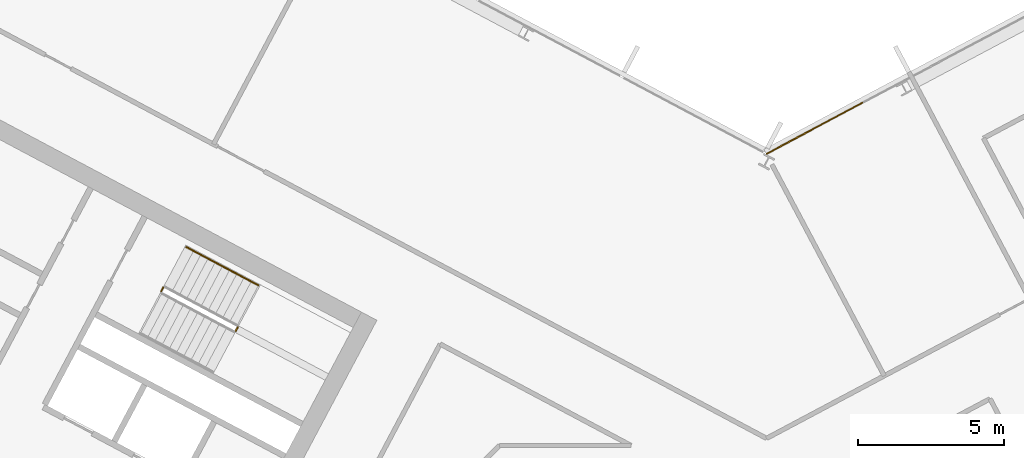
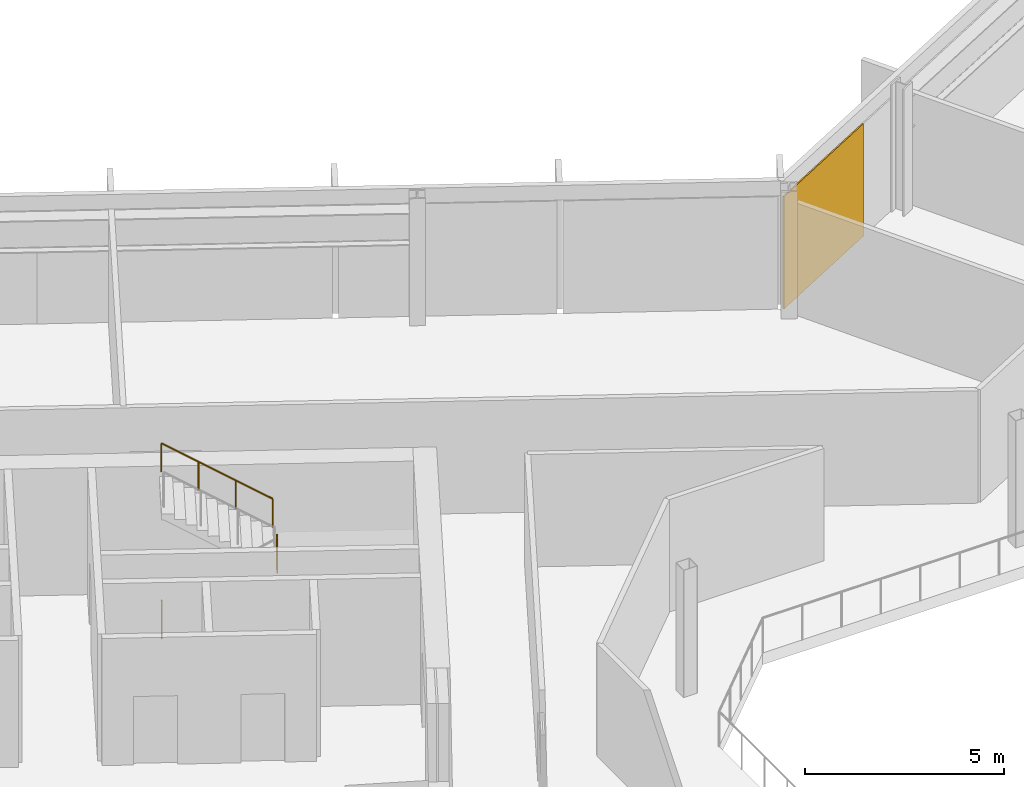
# One storey, part 22 of 26: 3 railings, 1 covering, 1 element without a shape of its own.
"""IFC4 building model written with IfcOpenShell, lengths in metres."""

from ifc_helpers import new_model, si_unit, direction, frame, origin, origin_2d, place, context, subcontext, project, spatial, polyline, rectangle, outline, extrude, material, layer, layer_set, type_object, element, aggregate, save


model = new_model("IFC4")

# Units and contexts
model_context = context("Model", 3, precision=1e-05, world=origin(), true_north=direction((0.0, 1.0)))
body_context = subcontext(model_context, "Body", "Model", "MODEL_VIEW")
ifc_project = project(units=[si_unit("LENGTHUNIT", "METRE"), si_unit("AREAUNIT", "SQUARE_METRE"), si_unit("VOLUMEUNIT", "CUBIC_METRE"), si_unit("PLANEANGLEUNIT", "RADIAN"), si_unit("MASSUNIT", "GRAM", prefix="KILO")], contexts=[model_context])

# Site, building, storey
site_placement = place(None, origin())
site = spatial("IfcSite", under=ifc_project, at=site_placement, CompositionType="ELEMENT")
building_placement = place(site_placement, origin())
building = spatial("IfcBuilding", under=site, at=building_placement, Name="Cormorant Relay Tower", CompositionType="ELEMENT")
storey_placement = place(building_placement, frame((0.0, 0.0, 248.10009765625)))
storey = spatial("IfcBuildingStorey", under=building, at=storey_placement, Name="L55", CompositionType="ELEMENT", Elevation=248.10009765625)

# Curtain wall, covering
ifc_material_1 = material(Name="Aluminium 6063-T6 anodised bronze", Category="aluminium")
ifc_layer_1 = layer(ifc_material_1, 0.199951171875)
ifc_layer_set_1 = layer_set([ifc_layer_1], Name="CW1 unitised bronze curtain wall with vertical fins")
curtain_wall_type = type_object("IfcCurtainWallType", Name="CW1 unitised bronze curtain wall with vertical fins", PredefinedType="NOTDEFINED", material=ifc_layer_set_1)
curtain_wall_placement = place(storey_placement, origin())
curtain_wall = element("IfcCurtainWall", 1, at=curtain_wall_placement, inside=storey, type_object=curtain_wall_type, Name="CW1 curtain wall 8", PredefinedType="NOTDEFINED")
ifc_material_2 = material(Name="Pale bronze anodised aluminium insulated panel", Category="aluminium")
ifc_layer_2 = layer(ifc_material_2, 0.0400390625)
ifc_layer_set_2 = layer_set([ifc_layer_2], Name="CW1 pale bronze insulated panel 40")
covering_type = type_object("IfcCoveringType", Name="CW1 pale bronze insulated panel 40", PredefinedType="CLADDING", material=ifc_layer_set_2)
covering_placement = place(storey_placement, frame((1.65234375, 24.685302734375, 0.0), z_axis=(0.0, 0.0, 1.0), x_axis=(-0.882947592859, -0.469471562786, 0.0)))
covering = element("IfcCovering", 2, at=covering_placement, type_object=covering_type, Name="CW1 panel S08", PredefinedType="CLADDING", context=body_context, shape_type="SweptSolid", body=[
    extrude(rectangle(XDim=3.763916015625, YDim=0.0400390625, at=origin_2d()), origin(), (0.0, 0.0, 1.0), 3.449951171875),
])
aggregate(curtain_wall, [covering])

# Railings
ifc_material_3 = material(Name="Steel ASTM A572 Grade 50 (Fy 345 MPa)", Category="steel")
railing_type_1 = type_object("IfcRailingType", Name="Stair guard 1100", PredefinedType="GUARDRAIL", material=ifc_material_3)
railing_1_placement = place(storey_placement, frame((-18.210693359375, 17.72412109375, 1.949951171875)))
element("IfcRailing", 3, at=railing_1_placement, inside=storey, type_object=railing_type_1, Name="L55 A1 stair guard 2", PredefinedType="GUARDRAIL", context=body_context, shape_type="SweptSolid", body=[
    extrude(outline(polyline([(0.022216796875, 0.00927734375), (0.00927734375, 0.022216796875), (-0.00927734375, 0.022216796875), (-0.022216796875, 0.00927734375), (-0.022216796875, -0.00927734375), (-0.00927734375, -0.022216796875), (0.00927734375, -0.022216796875), (0.022216796875, -0.00927734375), (0.022216796875, 0.00927734375)])), frame((0.0, 0.0, 1.076171875), z_axis=(0.470503732759, 0.882398003998, 0.0), x_axis=(-0.882398003998, 0.470503732759, 0.0)), (0.0, 0.0, 1.0), 0.14990234375),
    extrude(outline(polyline([(0.019287109375, 0.008056640625), (0.008056640625, 0.019287109375), (-0.008056640625, 0.019287109375), (-0.019287109375, 0.008056640625), (-0.019287109375, -0.008056640625), (-0.008056640625, -0.019287109375), (0.008056640625, -0.019287109375), (0.019287109375, -0.008056640625), (0.019287109375, 0.008056640625)])), origin(), (0.0, 0.0, 1.0), 1.052001953125),
    extrude(outline(polyline([(0.019287109375, 0.008056640625), (0.008056640625, 0.019287109375), (-0.008056640625, 0.019287109375), (-0.019287109375, 0.008056640625), (-0.019287109375, -0.008056640625), (-0.008056640625, -0.019287109375), (0.008056640625, -0.019287109375), (0.019287109375, -0.008056640625), (0.019287109375, 0.008056640625)])), frame((0.070556640625, 0.13232421875, 0.0)), (0.0, 0.0, 1.0), 1.052001953125),
])
railing_2_placement = place(storey_placement, frame((-20.771240234375, 19.08544921875, 0.0)))
element("IfcRailing", 4, at=railing_2_placement, inside=storey, type_object=railing_type_1, Name="L55 A1 stair guard 4", PredefinedType="GUARDRAIL", context=body_context, shape_type="SweptSolid", body=[
    extrude(outline(polyline([(0.022216796875, 0.00927734375), (0.00927734375, 0.022216796875), (-0.00927734375, 0.022216796875), (-0.022216796875, 0.00927734375), (-0.022216796875, -0.00927734375), (-0.00927734375, -0.022216796875), (0.00927734375, -0.022216796875), (0.022216796875, -0.00927734375), (0.022216796875, 0.00927734375)])), frame((0.0, 0.0, 1.076171875), z_axis=(0.469828648786, 0.882757634224, 0.0), x_axis=(-0.882757634224, 0.469828648786, 0.0)), (0.0, 0.0, 1.0), 0.150146484375),
    extrude(outline(polyline([(0.019287109375, 0.008056640625), (0.008056640625, 0.019287109375), (-0.008056640625, 0.019287109375), (-0.019287109375, 0.008056640625), (-0.019287109375, -0.008056640625), (-0.008056640625, -0.019287109375), (0.008056640625, -0.019287109375), (0.019287109375, -0.008056640625), (0.019287109375, 0.008056640625)])), origin(), (0.0, 0.0, 1.0), 1.052001953125),
    extrude(outline(polyline([(0.019287109375, 0.008056640625), (0.008056640625, 0.019287109375), (-0.008056640625, 0.019287109375), (-0.019287109375, 0.008056640625), (-0.019287109375, -0.008056640625), (-0.008056640625, -0.019287109375), (0.008056640625, -0.019287109375), (0.019287109375, -0.008056640625), (0.019287109375, 0.008056640625)])), frame((0.070556640625, 0.132568359375, 0.0)), (0.0, 0.0, 1.0), 1.052001953125),
])
ifc_material_4 = material(Name="Steel ASTM A572 Grade 50 (Fy 345 MPa)", Category="steel")
railing_type_2 = type_object("IfcRailingType", Name="Stair handrail 900", PredefinedType="HANDRAIL", material=ifc_material_4)
railing_3_placement = place(storey_placement, frame((-17.433349609375, 19.292724609375, 2.127197265625)))
element("IfcRailing", 5, at=railing_3_placement, inside=storey, type_object=railing_type_2, Name="L55 A1 stair handrail 2", PredefinedType="HANDRAIL", context=body_context, shape_type="SweptSolid", body=[
    extrude(outline(polyline([(0.022216796875, 0.00927734375), (0.00927734375, 0.022216796875), (-0.00927734375, 0.022216796875), (-0.022216796875, 0.00927734375), (-0.022216796875, -0.00927734375), (-0.00927734375, -0.022216796875), (0.00927734375, -0.022216796875), (0.022216796875, -0.00927734375), (0.022216796875, 0.00927734375)])), frame((0.0, 0.0, 0.8759765625), z_axis=(-0.746001213114, 0.396649272309, 0.534931345884), x_axis=(-0.469465464807, -0.882950835185, 0.0)), (0.0, 0.0, 1.0), 3.31396484375),
    extrude(outline(polyline([(0.019287109375, 0.008056640625), (0.008056640625, 0.019287109375), (-0.008056640625, 0.019287109375), (-0.019287109375, 0.008056640625), (-0.019287109375, -0.008056640625), (-0.008056640625, -0.019287109375), (0.008056640625, -0.019287109375), (0.019287109375, -0.008056640625), (0.019287109375, 0.008056640625)])), origin(), (0.0, 0.0, 1.0), 0.851806640625),
    extrude(outline(polyline([(0.019287109375, 0.008056640625), (0.008056640625, 0.019287109375), (-0.008056640625, 0.019287109375), (-0.019287109375, 0.008056640625), (-0.019287109375, -0.008056640625), (-0.008056640625, -0.019287109375), (0.008056640625, -0.019287109375), (0.019287109375, -0.008056640625), (0.019287109375, 0.008056640625)])), frame((-0.823974609375, 0.438232421875, 0.5908203125)), (0.0, 0.0, 1.0), 0.851806640625),
    extrude(outline(polyline([(0.019287109375, 0.008056640625), (0.008056640625, 0.019287109375), (-0.008056640625, 0.019287109375), (-0.019287109375, 0.008056640625), (-0.019287109375, -0.008056640625), (-0.008056640625, -0.019287109375), (0.008056640625, -0.019287109375), (0.019287109375, -0.008056640625), (0.019287109375, 0.008056640625)])), frame((-1.648193359375, 0.876220703125, 1.181884765625)), (0.0, 0.0, 1.0), 0.851806640625),
    extrude(outline(polyline([(0.019287109375, 0.008056640625), (0.008056640625, 0.019287109375), (-0.008056640625, 0.019287109375), (-0.019287109375, 0.008056640625), (-0.019287109375, -0.008056640625), (-0.008056640625, -0.019287109375), (0.008056640625, -0.019287109375), (0.019287109375, -0.008056640625), (0.019287109375, 0.008056640625)])), frame((-2.47216796875, 1.314453125, 1.772705078125)), (0.0, 0.0, 1.0), 0.851806640625),
])

save(model, "model.ifc")
